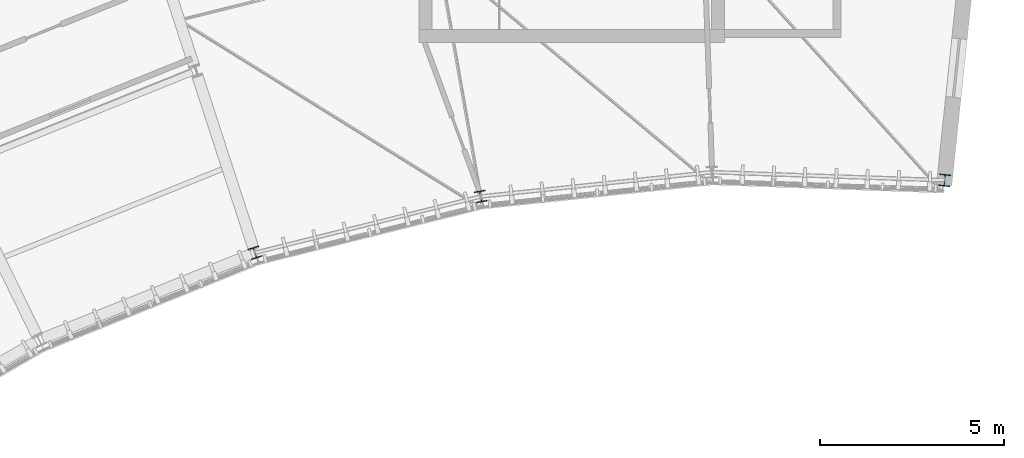
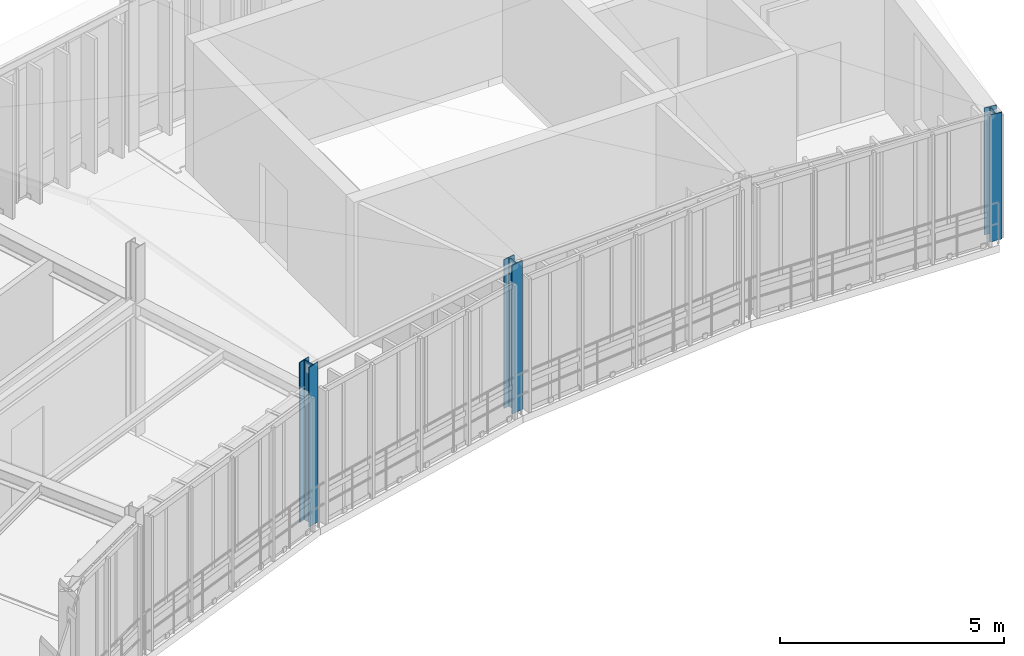
# One storey, part 4 of 42: 3 columns.
"""IFC4 building model written with IfcOpenShell, lengths in metres."""

from ifc_helpers import new_model, si_unit, direction, frame, origin, origin_2d, place, context, subcontext, project, spatial, i_section, extrude, material, material_profile, profile_set, type_object, element, save


model = new_model("IFC4")

# Units and contexts
model_context = context("Model", 3, precision=1e-05, world=origin(), true_north=direction((0.0, 1.0)))
body_context = subcontext(model_context, "Body", "Model", "MODEL_VIEW")
ifc_project = project(units=[si_unit("LENGTHUNIT", "METRE"), si_unit("AREAUNIT", "SQUARE_METRE"), si_unit("VOLUMEUNIT", "CUBIC_METRE"), si_unit("PLANEANGLEUNIT", "RADIAN"), si_unit("MASSUNIT", "GRAM", prefix="KILO"), si_unit("THERMODYNAMICTEMPERATUREUNIT", "KELVIN"), si_unit("POWERUNIT", "WATT")], contexts=[model_context])

# Site, building, storey
site_placement = place(None, origin())
site = spatial("IfcSite", under=ifc_project, at=site_placement, CompositionType="ELEMENT")
building_placement = place(site_placement, origin())
building = spatial("IfcBuilding", under=site, at=building_placement, Name="Solvatero Civic Police Headquarters", CompositionType="ELEMENT")
storey_placement = place(building_placement, frame((0.0, 0.0, 21.60009765625)))
storey = spatial("IfcBuildingStorey", under=building, at=storey_placement, Name="L05", CompositionType="ELEMENT", Elevation=21.60009765625)

# Columns
ifc_material = material(Name="Steel S355", Category="steel")
ifc_material_profile_1 = material_profile(ifc_material, i_section(OverallWidth=0.300048828125, OverallDepth=0.300048828125, WebThickness=0.010986328125, FlangeThickness=0.01904296875, FilletRadius=0.027099609375, at=origin_2d()), Name="HEB 300")
ifc_profile_set_1 = profile_set([ifc_material_profile_1], Name="Steel S355")
column_type_1 = type_object("IfcColumnType", Name="COL-ST-HEB300", PredefinedType="COLUMN", material=ifc_profile_set_1)
column_1_placement = place(storey_placement, frame((86.125, 70.660888671875, 0.0), z_axis=(0.0, 0.0, 1.0), x_axis=(0.984807753012, 0.173648177667, 0.0)))
element("IfcColumn", 1, at=column_1_placement, inside=storey, type_object=column_type_1, Name="Column ARC-S02-IN L05", PredefinedType="COLUMN", context=body_context, shape_type="SweptSolid", body=[
    extrude(i_section(OverallWidth=0.300048828125, OverallDepth=0.300048828125, WebThickness=0.010986328125, FlangeThickness=0.01904296875, FilletRadius=0.027099609375, at=origin_2d()), origin(), (0.0, 0.0, 1.0), 4.053955078125),
])
column_2_placement = place(storey_placement, frame((79.986083984375, 69.13037109375, 0.0), z_axis=(0.0, 0.0, 1.0), x_axis=(0.951056516295, 0.309016994375, 0.0)))
element("IfcColumn", 2, at=column_2_placement, inside=storey, type_object=column_type_1, Name="Column ARC-S03-IN L05", PredefinedType="COLUMN", context=body_context, shape_type="SweptSolid", body=[
    extrude(i_section(OverallWidth=0.300048828125, OverallDepth=0.300048828125, WebThickness=0.010986328125, FlangeThickness=0.01904296875, FilletRadius=0.027099609375, at=origin_2d()), origin(), (0.0, 0.0, 1.0), 4.35400390625),
])
ifc_material_profile_2 = material_profile(ifc_material, i_section(OverallWidth=0.300048828125, OverallDepth=0.320068359375, WebThickness=0.011474609375, FlangeThickness=0.0205078125, FilletRadius=0.027099609375, at=origin_2d()), Name="HEB 320")
ifc_profile_set_2 = profile_set([ifc_material_profile_2], Name="Steel S355")
column_type_2 = type_object("IfcColumnType", Name="COL-ST-HEB320", PredefinedType="COLUMN", material=ifc_profile_set_2)
column_3_placement = place(storey_placement, frame((98.740478515625, 71.1015625, 0.0), z_axis=(0.0, 0.0, 1.0), x_axis=(0.994521895368, -0.104528463268, 0.0)))
element("IfcColumn", 3, at=column_3_placement, inside=storey, type_object=column_type_2, Name="Column ARC-S00-IN L05", PredefinedType="COLUMN", context=body_context, shape_type="SweptSolid", body=[
    extrude(i_section(OverallWidth=0.300048828125, OverallDepth=0.320068359375, WebThickness=0.011474609375, FlangeThickness=0.0205078125, FilletRadius=0.027099609375, at=origin_2d()), origin(), (0.0, 0.0, 1.0), 3.453857421875),
])

save(model, "model.ifc")
